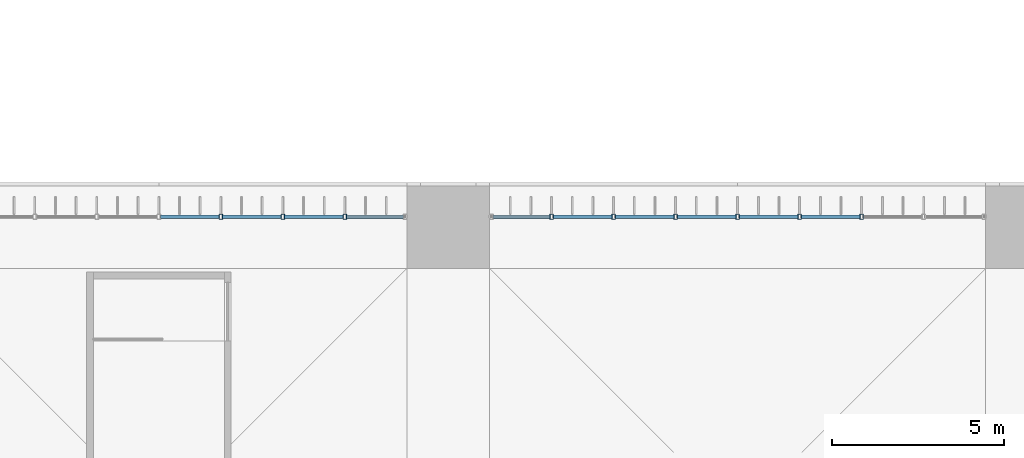
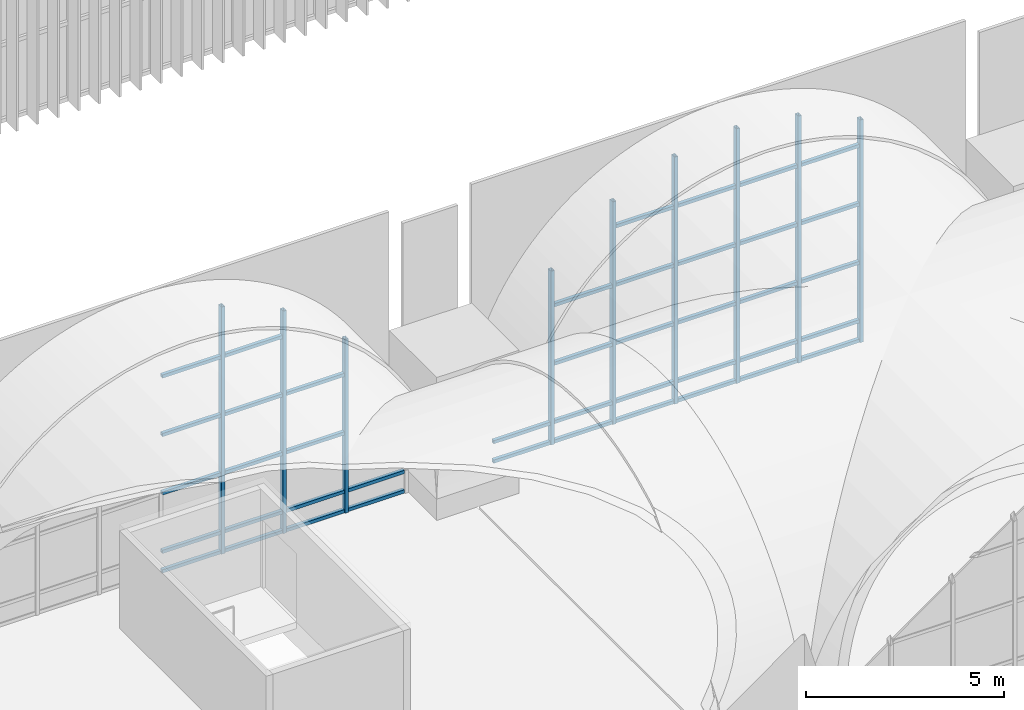
# One storey, part 41 of 169: 51 members, 2 elements without a shape of their own.
"""IFC4 building model written with IfcOpenShell, lengths in metres."""

from ifc_helpers import new_model, si_unit, direction, frame, origin, origin_2d, place, context, subcontext, project, spatial, hollow_rectangle, extrude, material, layer, layer_set, material_profile, profile_set, type_object, element, aggregate, save


model = new_model("IFC4")

# Units and contexts
model_context = context("Model", 3, precision=1e-05, world=origin(), true_north=direction((0.0, 1.0)))
body_context = subcontext(model_context, "Body", "Model", "MODEL_VIEW")
ifc_project = project(units=[si_unit("LENGTHUNIT", "METRE"), si_unit("AREAUNIT", "SQUARE_METRE"), si_unit("VOLUMEUNIT", "CUBIC_METRE"), si_unit("PLANEANGLEUNIT", "RADIAN"), si_unit("MASSUNIT", "GRAM", prefix="KILO")], contexts=[model_context])

# Site, building, storey
site_placement = place(None, origin())
site = spatial("IfcSite", under=ifc_project, at=site_placement, CompositionType="ELEMENT")
building_placement = place(site_placement, origin())
building = spatial("IfcBuilding", under=site, at=building_placement, Name="Verrick Yard Athletic Hall", CompositionType="ELEMENT")
storey_placement = place(building_placement, frame((0.0, 0.0, 4.39990234375)))
storey = spatial("IfcBuildingStorey", under=building, at=storey_placement, Name="L01", CompositionType="ELEMENT", Elevation=4.39990234375)

# Curtain wall, members
ifc_material_1 = material(Name="Aluminium and glass curtain wall", Category="aluminium")
ifc_layer = layer(ifc_material_1, 0.14990234375)
ifc_layer_set = layer_set([ifc_layer], Name="Arcade glazing arch")
curtain_wall_type = type_object("IfcCurtainWallType", Name="Arcade glazing arch", PredefinedType="NOTDEFINED", material=ifc_layer_set)
curtain_wall_1_placement = place(storey_placement, origin())
curtain_wall_1 = element("IfcCurtainWall", 1, at=curtain_wall_1_placement, inside=storey, type_object=curtain_wall_type, Name="Arcade glazing N5", PredefinedType="NOTDEFINED")
ifc_material_2 = material(Name="Structural steel HSS Class C 350W (CSA G40.20/G40.21)", Category="steel")
ifc_material_profile_1 = material_profile(ifc_material_2, hollow_rectangle(XDim=0.1015625, YDim=0.15234375, WallThickness=0.008056640625, at=origin_2d()), Name="HSS152x102x7.9")
ifc_profile_set_1 = profile_set([ifc_material_profile_1], Name="Structural steel HSS Class C 350W (CSA G40.20/G40.21)")
member_type_1 = type_object("IfcMemberType", Name="Curtain wall mullion HSS152x102x7.9", PredefinedType="MULLION", material=ifc_profile_set_1)
member_1_placement = place(storey_placement, frame((117.39990234375, 53.10009765625, 0.0), z_axis=(0.0, 0.0, 1.0), x_axis=(1.0, 0.0, 0.0)))
member_1 = element("IfcMember", 2, at=member_1_placement, type_object=member_type_1, Name="Arcade glazing N5 mullion 6", PredefinedType="MULLION", context=body_context, shape_type="SweptSolid", body=[
    extrude(hollow_rectangle(XDim=0.1015625, YDim=0.15234375, WallThickness=0.008056640625, at=origin_2d()), origin(), (0.0, 0.0, 1.0), 7.607666015625),
])
member_2_placement = place(storey_placement, frame((119.199951171875, 53.10009765625, 0.0), z_axis=(0.0, 0.0, 1.0), x_axis=(1.0, 0.0, 0.0)))
member_2 = element("IfcMember", 3, at=member_2_placement, type_object=member_type_1, Name="Arcade glazing N5 mullion 7", PredefinedType="MULLION", context=body_context, shape_type="SweptSolid", body=[
    extrude(hollow_rectangle(XDim=0.1015625, YDim=0.15234375, WallThickness=0.008056640625, at=origin_2d()), origin(), (0.0, 0.0, 1.0), 6.8544921875),
])
member_3_placement = place(storey_placement, frame((121.0, 53.10009765625, 0.0), z_axis=(0.0, 0.0, 1.0), x_axis=(1.0, 0.0, 0.0)))
member_3 = element("IfcMember", 4, at=member_3_placement, type_object=member_type_1, Name="Arcade glazing N5 mullion 8", PredefinedType="MULLION", context=body_context, shape_type="SweptSolid", body=[
    extrude(hollow_rectangle(XDim=0.1015625, YDim=0.15234375, WallThickness=0.008056640625, at=origin_2d()), origin(), (0.0, 0.0, 1.0), 5.351806640625),
])

curtain_wall_2_placement = place(storey_placement, origin())
curtain_wall_2 = element("IfcCurtainWall", 5, at=curtain_wall_2_placement, inside=storey, type_object=curtain_wall_type, Name="Arcade glazing N6", PredefinedType="NOTDEFINED")
member_4_placement = place(storey_placement, frame((127.0, 53.10009765625, 0.0), z_axis=(0.0, 0.0, 1.0), x_axis=(1.0, 0.0, 0.0)))
member_4 = element("IfcMember", 6, at=member_4_placement, type_object=member_type_1, Name="Arcade glazing N6 mullion 2", PredefinedType="MULLION", context=body_context, shape_type="SweptSolid", body=[
    extrude(hollow_rectangle(XDim=0.1015625, YDim=0.15234375, WallThickness=0.008056640625, at=origin_2d()), origin(), (0.0, 0.0, 1.0), 5.351806640625),
])
member_5_placement = place(storey_placement, frame((128.800048828125, 53.10009765625, 0.0), z_axis=(0.0, 0.0, 1.0), x_axis=(1.0, 0.0, 0.0)))
member_5 = element("IfcMember", 7, at=member_5_placement, type_object=member_type_1, Name="Arcade glazing N6 mullion 3", PredefinedType="MULLION", context=body_context, shape_type="SweptSolid", body=[
    extrude(hollow_rectangle(XDim=0.1015625, YDim=0.15234375, WallThickness=0.008056640625, at=origin_2d()), origin(), (0.0, 0.0, 1.0), 6.8544921875),
])
member_6_placement = place(storey_placement, frame((130.60009765625, 53.10009765625, 0.0), z_axis=(0.0, 0.0, 1.0), x_axis=(1.0, 0.0, 0.0)))
member_6 = element("IfcMember", 8, at=member_6_placement, type_object=member_type_1, Name="Arcade glazing N6 mullion 4", PredefinedType="MULLION", context=body_context, shape_type="SweptSolid", body=[
    extrude(hollow_rectangle(XDim=0.1015625, YDim=0.15234375, WallThickness=0.008056640625, at=origin_2d()), origin(), (0.0, 0.0, 1.0), 7.607666015625),
])
member_7_placement = place(storey_placement, frame((132.39990234375, 53.10009765625, 0.0), z_axis=(0.0, 0.0, 1.0), x_axis=(1.0, 0.0, 0.0)))
member_7 = element("IfcMember", 9, at=member_7_placement, type_object=member_type_1, Name="Arcade glazing N6 mullion 5", PredefinedType="MULLION", context=body_context, shape_type="SweptSolid", body=[
    extrude(hollow_rectangle(XDim=0.1015625, YDim=0.15234375, WallThickness=0.008056640625, at=origin_2d()), origin(), (0.0, 0.0, 1.0), 7.8486328125),
])
member_8_placement = place(storey_placement, frame((134.199951171875, 53.10009765625, 0.0), z_axis=(0.0, 0.0, 1.0), x_axis=(1.0, 0.0, 0.0)))
member_8 = element("IfcMember", 10, at=member_8_placement, type_object=member_type_1, Name="Arcade glazing N6 mullion 6", PredefinedType="MULLION", context=body_context, shape_type="SweptSolid", body=[
    extrude(hollow_rectangle(XDim=0.1015625, YDim=0.15234375, WallThickness=0.008056640625, at=origin_2d()), origin(), (0.0, 0.0, 1.0), 7.607666015625),
])
member_9_placement = place(storey_placement, frame((136.0, 53.10009765625, 0.0), z_axis=(0.0, 0.0, 1.0), x_axis=(1.0, 0.0, 0.0)))
member_9 = element("IfcMember", 11, at=member_9_placement, type_object=member_type_1, Name="Arcade glazing N6 mullion 7", PredefinedType="MULLION", context=body_context, shape_type="SweptSolid", body=[
    extrude(hollow_rectangle(XDim=0.1015625, YDim=0.15234375, WallThickness=0.008056640625, at=origin_2d()), origin(), (0.0, 0.0, 1.0), 6.8544921875),
])

# Member
ifc_material_profile_2 = material_profile(ifc_material_2, hollow_rectangle(XDim=0.1015625, YDim=0.1015625, WallThickness=0.00634765625, at=origin_2d()), Name="HSS102x102x6.4")
ifc_profile_set_2 = profile_set([ifc_material_profile_2], Name="Structural steel HSS Class C 350W (CSA G40.20/G40.21)")
member_type_2 = type_object("IfcMemberType", Name="Curtain wall transom HSS102x102x6.4", PredefinedType="USERDEFINED", material=ifc_profile_set_2)
member_10_placement = place(storey_placement, frame((115.65087890625, 53.10009765625, 0.05078125), z_axis=(1.0, 0.0, 0.0), x_axis=(0.0, 1.0, 0.0)))
member_10 = element("IfcMember", 12, at=member_10_placement, type_object=member_type_2, Name="Arcade glazing N5 transom 17", ObjectType="TRANSOM", PredefinedType="USERDEFINED", context=body_context, shape_type="SweptSolid", body=[
    extrude(hollow_rectangle(XDim=0.1015625, YDim=0.1015625, WallThickness=0.00634765625, at=origin_2d()), origin(), (0.0, 0.0, 1.0), 1.6982421875),
])

member_11_placement = place(storey_placement, frame((115.65087890625, 53.10009765625, 0.650146484375), z_axis=(1.0, 0.0, 0.0), x_axis=(0.0, 1.0, 0.0)))
member_11 = element("IfcMember", 13, at=member_11_placement, type_object=member_type_2, Name="Arcade glazing N5 transom 18", ObjectType="TRANSOM", PredefinedType="USERDEFINED", context=body_context, shape_type="SweptSolid", body=[
    extrude(hollow_rectangle(XDim=0.1015625, YDim=0.1015625, WallThickness=0.00634765625, at=origin_2d()), origin(), (0.0, 0.0, 1.0), 1.6982421875),
])

member_12_placement = place(storey_placement, frame((115.65087890625, 53.10009765625, 2.4501953125), z_axis=(1.0, 0.0, 0.0), x_axis=(0.0, 1.0, 0.0)))
member_12 = element("IfcMember", 14, at=member_12_placement, type_object=member_type_2, Name="Arcade glazing N5 transom 19", ObjectType="TRANSOM", PredefinedType="USERDEFINED", context=body_context, shape_type="SweptSolid", body=[
    extrude(hollow_rectangle(XDim=0.1015625, YDim=0.1015625, WallThickness=0.00634765625, at=origin_2d()), origin(), (0.0, 0.0, 1.0), 1.6982421875),
])

member_13_placement = place(storey_placement, frame((115.65087890625, 53.10009765625, 4.25), z_axis=(1.0, 0.0, 0.0), x_axis=(0.0, 1.0, 0.0)))
member_13 = element("IfcMember", 15, at=member_13_placement, type_object=member_type_2, Name="Arcade glazing N5 transom 20", ObjectType="TRANSOM", PredefinedType="USERDEFINED", context=body_context, shape_type="SweptSolid", body=[
    extrude(hollow_rectangle(XDim=0.1015625, YDim=0.1015625, WallThickness=0.00634765625, at=origin_2d()), origin(), (0.0, 0.0, 1.0), 1.6982421875),
])

member_14_placement = place(storey_placement, frame((115.65087890625, 53.10009765625, 6.050048828125), z_axis=(1.0, 0.0, 0.0), x_axis=(0.0, 1.0, 0.0)))
member_14 = element("IfcMember", 16, at=member_14_placement, type_object=member_type_2, Name="Arcade glazing N5 transom 21", ObjectType="TRANSOM", PredefinedType="USERDEFINED", context=body_context, shape_type="SweptSolid", body=[
    extrude(hollow_rectangle(XDim=0.1015625, YDim=0.1015625, WallThickness=0.00634765625, at=origin_2d()), origin(), (0.0, 0.0, 1.0), 1.6982421875),
])

member_15_placement = place(storey_placement, frame((117.45068359375, 53.10009765625, 0.05078125), z_axis=(1.0, 0.0, 0.0), x_axis=(0.0, 1.0, 0.0)))
member_15 = element("IfcMember", 17, at=member_15_placement, type_object=member_type_2, Name="Arcade glazing N5 transom 22", ObjectType="TRANSOM", PredefinedType="USERDEFINED", context=body_context, shape_type="SweptSolid", body=[
    extrude(hollow_rectangle(XDim=0.1015625, YDim=0.1015625, WallThickness=0.00634765625, at=origin_2d()), origin(), (0.0, 0.0, 1.0), 1.698486328125),
])

member_16_placement = place(storey_placement, frame((117.45068359375, 53.10009765625, 0.650146484375), z_axis=(1.0, 0.0, 0.0), x_axis=(0.0, 1.0, 0.0)))
member_16 = element("IfcMember", 18, at=member_16_placement, type_object=member_type_2, Name="Arcade glazing N5 transom 23", ObjectType="TRANSOM", PredefinedType="USERDEFINED", context=body_context, shape_type="SweptSolid", body=[
    extrude(hollow_rectangle(XDim=0.1015625, YDim=0.1015625, WallThickness=0.00634765625, at=origin_2d()), origin(), (0.0, 0.0, 1.0), 1.698486328125),
])

member_17_placement = place(storey_placement, frame((117.45068359375, 53.10009765625, 2.4501953125), z_axis=(1.0, 0.0, 0.0), x_axis=(0.0, 1.0, 0.0)))
member_17 = element("IfcMember", 19, at=member_17_placement, type_object=member_type_2, Name="Arcade glazing N5 transom 24", ObjectType="TRANSOM", PredefinedType="USERDEFINED", context=body_context, shape_type="SweptSolid", body=[
    extrude(hollow_rectangle(XDim=0.1015625, YDim=0.1015625, WallThickness=0.00634765625, at=origin_2d()), origin(), (0.0, 0.0, 1.0), 1.698486328125),
])

member_18_placement = place(storey_placement, frame((117.45068359375, 53.10009765625, 4.25), z_axis=(1.0, 0.0, 0.0), x_axis=(0.0, 1.0, 0.0)))
member_18 = element("IfcMember", 20, at=member_18_placement, type_object=member_type_2, Name="Arcade glazing N5 transom 25", ObjectType="TRANSOM", PredefinedType="USERDEFINED", context=body_context, shape_type="SweptSolid", body=[
    extrude(hollow_rectangle(XDim=0.1015625, YDim=0.1015625, WallThickness=0.00634765625, at=origin_2d()), origin(), (0.0, 0.0, 1.0), 1.698486328125),
])

member_19_placement = place(storey_placement, frame((117.45068359375, 53.10009765625, 6.050048828125), z_axis=(1.0, 0.0, 0.0), x_axis=(0.0, 1.0, 0.0)))
member_19 = element("IfcMember", 21, at=member_19_placement, type_object=member_type_2, Name="Arcade glazing N5 transom 26", ObjectType="TRANSOM", PredefinedType="USERDEFINED", context=body_context, shape_type="SweptSolid", body=[
    extrude(hollow_rectangle(XDim=0.1015625, YDim=0.1015625, WallThickness=0.00634765625, at=origin_2d()), origin(), (0.0, 0.0, 1.0), 1.698486328125),
])

member_20_placement = place(storey_placement, frame((119.250732421875, 53.10009765625, 0.05078125), z_axis=(1.0, 0.0, 0.0), x_axis=(0.0, 1.0, 0.0)))
member_20 = element("IfcMember", 22, at=member_20_placement, type_object=member_type_2, Name="Arcade glazing N5 transom 27", ObjectType="TRANSOM", PredefinedType="USERDEFINED", context=body_context, shape_type="SweptSolid", body=[
    extrude(hollow_rectangle(XDim=0.1015625, YDim=0.1015625, WallThickness=0.00634765625, at=origin_2d()), origin(), (0.0, 0.0, 1.0), 1.698486328125),
])

member_21_placement = place(storey_placement, frame((119.250732421875, 53.10009765625, 0.650146484375), z_axis=(1.0, 0.0, 0.0), x_axis=(0.0, 1.0, 0.0)))
member_21 = element("IfcMember", 23, at=member_21_placement, type_object=member_type_2, Name="Arcade glazing N5 transom 28", ObjectType="TRANSOM", PredefinedType="USERDEFINED", context=body_context, shape_type="SweptSolid", body=[
    extrude(hollow_rectangle(XDim=0.1015625, YDim=0.1015625, WallThickness=0.00634765625, at=origin_2d()), origin(), (0.0, 0.0, 1.0), 1.698486328125),
])

member_22_placement = place(storey_placement, frame((119.250732421875, 53.10009765625, 2.4501953125), z_axis=(1.0, 0.0, 0.0), x_axis=(0.0, 1.0, 0.0)))
member_22 = element("IfcMember", 24, at=member_22_placement, type_object=member_type_2, Name="Arcade glazing N5 transom 29", ObjectType="TRANSOM", PredefinedType="USERDEFINED", context=body_context, shape_type="SweptSolid", body=[
    extrude(hollow_rectangle(XDim=0.1015625, YDim=0.1015625, WallThickness=0.00634765625, at=origin_2d()), origin(), (0.0, 0.0, 1.0), 1.698486328125),
])

member_23_placement = place(storey_placement, frame((119.250732421875, 53.10009765625, 4.25), z_axis=(1.0, 0.0, 0.0), x_axis=(0.0, 1.0, 0.0)))
member_23 = element("IfcMember", 25, at=member_23_placement, type_object=member_type_2, Name="Arcade glazing N5 transom 30", ObjectType="TRANSOM", PredefinedType="USERDEFINED", context=body_context, shape_type="SweptSolid", body=[
    extrude(hollow_rectangle(XDim=0.1015625, YDim=0.1015625, WallThickness=0.00634765625, at=origin_2d()), origin(), (0.0, 0.0, 1.0), 1.698486328125),
])

member_24_placement = place(storey_placement, frame((121.05078125, 53.10009765625, 0.05078125), z_axis=(1.0, 0.0, 0.0), x_axis=(0.0, 1.0, 0.0)))
member_24 = element("IfcMember", 26, at=member_24_placement, type_object=member_type_2, Name="Arcade glazing N5 transom 31", ObjectType="TRANSOM", PredefinedType="USERDEFINED", context=body_context, shape_type="SweptSolid", body=[
    extrude(hollow_rectangle(XDim=0.1015625, YDim=0.1015625, WallThickness=0.00634765625, at=origin_2d()), origin(), (0.0, 0.0, 1.0), 1.647216796875),
])

member_25_placement = place(storey_placement, frame((121.05078125, 53.10009765625, 0.650146484375), z_axis=(1.0, 0.0, 0.0), x_axis=(0.0, 1.0, 0.0)))
member_25 = element("IfcMember", 27, at=member_25_placement, type_object=member_type_2, Name="Arcade glazing N5 transom 32", ObjectType="TRANSOM", PredefinedType="USERDEFINED", context=body_context, shape_type="SweptSolid", body=[
    extrude(hollow_rectangle(XDim=0.1015625, YDim=0.1015625, WallThickness=0.00634765625, at=origin_2d()), origin(), (0.0, 0.0, 1.0), 1.647216796875),
])

aggregate(curtain_wall_1, [member_1, member_2, member_3, member_10, member_11, member_12, member_13, member_14, member_15, member_16, member_17, member_18, member_19, member_20, member_21, member_22, member_23, member_24, member_25])

member_26_placement = place(storey_placement, frame((125.302001953125, 53.10009765625, 0.05078125), z_axis=(1.0, 0.0, 0.0), x_axis=(0.0, 1.0, 0.0)))
member_26 = element("IfcMember", 28, at=member_26_placement, type_object=member_type_2, Name="Arcade glazing N6 transom 1", ObjectType="TRANSOM", PredefinedType="USERDEFINED", context=body_context, shape_type="SweptSolid", body=[
    extrude(hollow_rectangle(XDim=0.1015625, YDim=0.1015625, WallThickness=0.00634765625, at=origin_2d()), origin(), (0.0, 0.0, 1.0), 1.647216796875),
])

member_27_placement = place(storey_placement, frame((125.302001953125, 53.10009765625, 0.650146484375), z_axis=(1.0, 0.0, 0.0), x_axis=(0.0, 1.0, 0.0)))
member_27 = element("IfcMember", 29, at=member_27_placement, type_object=member_type_2, Name="Arcade glazing N6 transom 2", ObjectType="TRANSOM", PredefinedType="USERDEFINED", context=body_context, shape_type="SweptSolid", body=[
    extrude(hollow_rectangle(XDim=0.1015625, YDim=0.1015625, WallThickness=0.00634765625, at=origin_2d()), origin(), (0.0, 0.0, 1.0), 1.647216796875),
])

member_28_placement = place(storey_placement, frame((127.05078125, 53.10009765625, 0.05078125), z_axis=(1.0, 0.0, 0.0), x_axis=(0.0, 1.0, 0.0)))
member_28 = element("IfcMember", 30, at=member_28_placement, type_object=member_type_2, Name="Arcade glazing N6 transom 3", ObjectType="TRANSOM", PredefinedType="USERDEFINED", context=body_context, shape_type="SweptSolid", body=[
    extrude(hollow_rectangle(XDim=0.1015625, YDim=0.1015625, WallThickness=0.00634765625, at=origin_2d()), origin(), (0.0, 0.0, 1.0), 1.698486328125),
])

member_29_placement = place(storey_placement, frame((127.05078125, 53.10009765625, 0.650146484375), z_axis=(1.0, 0.0, 0.0), x_axis=(0.0, 1.0, 0.0)))
member_29 = element("IfcMember", 31, at=member_29_placement, type_object=member_type_2, Name="Arcade glazing N6 transom 4", ObjectType="TRANSOM", PredefinedType="USERDEFINED", context=body_context, shape_type="SweptSolid", body=[
    extrude(hollow_rectangle(XDim=0.1015625, YDim=0.1015625, WallThickness=0.00634765625, at=origin_2d()), origin(), (0.0, 0.0, 1.0), 1.698486328125),
])

member_30_placement = place(storey_placement, frame((127.05078125, 53.10009765625, 2.4501953125), z_axis=(1.0, 0.0, 0.0), x_axis=(0.0, 1.0, 0.0)))
member_30 = element("IfcMember", 32, at=member_30_placement, type_object=member_type_2, Name="Arcade glazing N6 transom 5", ObjectType="TRANSOM", PredefinedType="USERDEFINED", context=body_context, shape_type="SweptSolid", body=[
    extrude(hollow_rectangle(XDim=0.1015625, YDim=0.1015625, WallThickness=0.00634765625, at=origin_2d()), origin(), (0.0, 0.0, 1.0), 1.698486328125),
])

member_31_placement = place(storey_placement, frame((127.05078125, 53.10009765625, 4.25), z_axis=(1.0, 0.0, 0.0), x_axis=(0.0, 1.0, 0.0)))
member_31 = element("IfcMember", 33, at=member_31_placement, type_object=member_type_2, Name="Arcade glazing N6 transom 6", ObjectType="TRANSOM", PredefinedType="USERDEFINED", context=body_context, shape_type="SweptSolid", body=[
    extrude(hollow_rectangle(XDim=0.1015625, YDim=0.1015625, WallThickness=0.00634765625, at=origin_2d()), origin(), (0.0, 0.0, 1.0), 1.698486328125),
])

member_32_placement = place(storey_placement, frame((128.850830078125, 53.10009765625, 0.05078125), z_axis=(1.0, 0.0, 0.0), x_axis=(0.0, 1.0, 0.0)))
member_32 = element("IfcMember", 34, at=member_32_placement, type_object=member_type_2, Name="Arcade glazing N6 transom 7", ObjectType="TRANSOM", PredefinedType="USERDEFINED", context=body_context, shape_type="SweptSolid", body=[
    extrude(hollow_rectangle(XDim=0.1015625, YDim=0.1015625, WallThickness=0.00634765625, at=origin_2d()), origin(), (0.0, 0.0, 1.0), 1.698486328125),
])

member_33_placement = place(storey_placement, frame((128.850830078125, 53.10009765625, 0.650146484375), z_axis=(1.0, 0.0, 0.0), x_axis=(0.0, 1.0, 0.0)))
member_33 = element("IfcMember", 35, at=member_33_placement, type_object=member_type_2, Name="Arcade glazing N6 transom 8", ObjectType="TRANSOM", PredefinedType="USERDEFINED", context=body_context, shape_type="SweptSolid", body=[
    extrude(hollow_rectangle(XDim=0.1015625, YDim=0.1015625, WallThickness=0.00634765625, at=origin_2d()), origin(), (0.0, 0.0, 1.0), 1.698486328125),
])

member_34_placement = place(storey_placement, frame((128.850830078125, 53.10009765625, 2.4501953125), z_axis=(1.0, 0.0, 0.0), x_axis=(0.0, 1.0, 0.0)))
member_34 = element("IfcMember", 36, at=member_34_placement, type_object=member_type_2, Name="Arcade glazing N6 transom 9", ObjectType="TRANSOM", PredefinedType="USERDEFINED", context=body_context, shape_type="SweptSolid", body=[
    extrude(hollow_rectangle(XDim=0.1015625, YDim=0.1015625, WallThickness=0.00634765625, at=origin_2d()), origin(), (0.0, 0.0, 1.0), 1.698486328125),
])

member_35_placement = place(storey_placement, frame((128.850830078125, 53.10009765625, 4.25), z_axis=(1.0, 0.0, 0.0), x_axis=(0.0, 1.0, 0.0)))
member_35 = element("IfcMember", 37, at=member_35_placement, type_object=member_type_2, Name="Arcade glazing N6 transom 10", ObjectType="TRANSOM", PredefinedType="USERDEFINED", context=body_context, shape_type="SweptSolid", body=[
    extrude(hollow_rectangle(XDim=0.1015625, YDim=0.1015625, WallThickness=0.00634765625, at=origin_2d()), origin(), (0.0, 0.0, 1.0), 1.698486328125),
])

member_36_placement = place(storey_placement, frame((128.850830078125, 53.10009765625, 6.050048828125), z_axis=(1.0, 0.0, 0.0), x_axis=(0.0, 1.0, 0.0)))
member_36 = element("IfcMember", 38, at=member_36_placement, type_object=member_type_2, Name="Arcade glazing N6 transom 11", ObjectType="TRANSOM", PredefinedType="USERDEFINED", context=body_context, shape_type="SweptSolid", body=[
    extrude(hollow_rectangle(XDim=0.1015625, YDim=0.1015625, WallThickness=0.00634765625, at=origin_2d()), origin(), (0.0, 0.0, 1.0), 1.698486328125),
])

member_37_placement = place(storey_placement, frame((130.65087890625, 53.10009765625, 0.05078125), z_axis=(1.0, 0.0, 0.0), x_axis=(0.0, 1.0, 0.0)))
member_37 = element("IfcMember", 39, at=member_37_placement, type_object=member_type_2, Name="Arcade glazing N6 transom 12", ObjectType="TRANSOM", PredefinedType="USERDEFINED", context=body_context, shape_type="SweptSolid", body=[
    extrude(hollow_rectangle(XDim=0.1015625, YDim=0.1015625, WallThickness=0.00634765625, at=origin_2d()), origin(), (0.0, 0.0, 1.0), 1.6982421875),
])

member_38_placement = place(storey_placement, frame((130.65087890625, 53.10009765625, 0.650146484375), z_axis=(1.0, 0.0, 0.0), x_axis=(0.0, 1.0, 0.0)))
member_38 = element("IfcMember", 40, at=member_38_placement, type_object=member_type_2, Name="Arcade glazing N6 transom 13", ObjectType="TRANSOM", PredefinedType="USERDEFINED", context=body_context, shape_type="SweptSolid", body=[
    extrude(hollow_rectangle(XDim=0.1015625, YDim=0.1015625, WallThickness=0.00634765625, at=origin_2d()), origin(), (0.0, 0.0, 1.0), 1.6982421875),
])

member_39_placement = place(storey_placement, frame((130.65087890625, 53.10009765625, 2.4501953125), z_axis=(1.0, 0.0, 0.0), x_axis=(0.0, 1.0, 0.0)))
member_39 = element("IfcMember", 41, at=member_39_placement, type_object=member_type_2, Name="Arcade glazing N6 transom 14", ObjectType="TRANSOM", PredefinedType="USERDEFINED", context=body_context, shape_type="SweptSolid", body=[
    extrude(hollow_rectangle(XDim=0.1015625, YDim=0.1015625, WallThickness=0.00634765625, at=origin_2d()), origin(), (0.0, 0.0, 1.0), 1.6982421875),
])

member_40_placement = place(storey_placement, frame((130.65087890625, 53.10009765625, 4.25), z_axis=(1.0, 0.0, 0.0), x_axis=(0.0, 1.0, 0.0)))
member_40 = element("IfcMember", 42, at=member_40_placement, type_object=member_type_2, Name="Arcade glazing N6 transom 15", ObjectType="TRANSOM", PredefinedType="USERDEFINED", context=body_context, shape_type="SweptSolid", body=[
    extrude(hollow_rectangle(XDim=0.1015625, YDim=0.1015625, WallThickness=0.00634765625, at=origin_2d()), origin(), (0.0, 0.0, 1.0), 1.6982421875),
])

member_41_placement = place(storey_placement, frame((130.65087890625, 53.10009765625, 6.050048828125), z_axis=(1.0, 0.0, 0.0), x_axis=(0.0, 1.0, 0.0)))
member_41 = element("IfcMember", 43, at=member_41_placement, type_object=member_type_2, Name="Arcade glazing N6 transom 16", ObjectType="TRANSOM", PredefinedType="USERDEFINED", context=body_context, shape_type="SweptSolid", body=[
    extrude(hollow_rectangle(XDim=0.1015625, YDim=0.1015625, WallThickness=0.00634765625, at=origin_2d()), origin(), (0.0, 0.0, 1.0), 1.6982421875),
])

member_42_placement = place(storey_placement, frame((132.45068359375, 53.10009765625, 0.05078125), z_axis=(1.0, 0.0, 0.0), x_axis=(0.0, 1.0, 0.0)))
member_42 = element("IfcMember", 44, at=member_42_placement, type_object=member_type_2, Name="Arcade glazing N6 transom 17", ObjectType="TRANSOM", PredefinedType="USERDEFINED", context=body_context, shape_type="SweptSolid", body=[
    extrude(hollow_rectangle(XDim=0.1015625, YDim=0.1015625, WallThickness=0.00634765625, at=origin_2d()), origin(), (0.0, 0.0, 1.0), 1.698486328125),
])

member_43_placement = place(storey_placement, frame((132.45068359375, 53.10009765625, 0.650146484375), z_axis=(1.0, 0.0, 0.0), x_axis=(0.0, 1.0, 0.0)))
member_43 = element("IfcMember", 45, at=member_43_placement, type_object=member_type_2, Name="Arcade glazing N6 transom 18", ObjectType="TRANSOM", PredefinedType="USERDEFINED", context=body_context, shape_type="SweptSolid", body=[
    extrude(hollow_rectangle(XDim=0.1015625, YDim=0.1015625, WallThickness=0.00634765625, at=origin_2d()), origin(), (0.0, 0.0, 1.0), 1.698486328125),
])

member_44_placement = place(storey_placement, frame((132.45068359375, 53.10009765625, 2.4501953125), z_axis=(1.0, 0.0, 0.0), x_axis=(0.0, 1.0, 0.0)))
member_44 = element("IfcMember", 46, at=member_44_placement, type_object=member_type_2, Name="Arcade glazing N6 transom 19", ObjectType="TRANSOM", PredefinedType="USERDEFINED", context=body_context, shape_type="SweptSolid", body=[
    extrude(hollow_rectangle(XDim=0.1015625, YDim=0.1015625, WallThickness=0.00634765625, at=origin_2d()), origin(), (0.0, 0.0, 1.0), 1.698486328125),
])

member_45_placement = place(storey_placement, frame((132.45068359375, 53.10009765625, 4.25), z_axis=(1.0, 0.0, 0.0), x_axis=(0.0, 1.0, 0.0)))
member_45 = element("IfcMember", 47, at=member_45_placement, type_object=member_type_2, Name="Arcade glazing N6 transom 20", ObjectType="TRANSOM", PredefinedType="USERDEFINED", context=body_context, shape_type="SweptSolid", body=[
    extrude(hollow_rectangle(XDim=0.1015625, YDim=0.1015625, WallThickness=0.00634765625, at=origin_2d()), origin(), (0.0, 0.0, 1.0), 1.698486328125),
])

member_46_placement = place(storey_placement, frame((132.45068359375, 53.10009765625, 6.050048828125), z_axis=(1.0, 0.0, 0.0), x_axis=(0.0, 1.0, 0.0)))
member_46 = element("IfcMember", 48, at=member_46_placement, type_object=member_type_2, Name="Arcade glazing N6 transom 21", ObjectType="TRANSOM", PredefinedType="USERDEFINED", context=body_context, shape_type="SweptSolid", body=[
    extrude(hollow_rectangle(XDim=0.1015625, YDim=0.1015625, WallThickness=0.00634765625, at=origin_2d()), origin(), (0.0, 0.0, 1.0), 1.698486328125),
])

member_47_placement = place(storey_placement, frame((134.250732421875, 53.10009765625, 0.05078125), z_axis=(1.0, 0.0, 0.0), x_axis=(0.0, 1.0, 0.0)))
member_47 = element("IfcMember", 49, at=member_47_placement, type_object=member_type_2, Name="Arcade glazing N6 transom 22", ObjectType="TRANSOM", PredefinedType="USERDEFINED", context=body_context, shape_type="SweptSolid", body=[
    extrude(hollow_rectangle(XDim=0.1015625, YDim=0.1015625, WallThickness=0.00634765625, at=origin_2d()), origin(), (0.0, 0.0, 1.0), 1.698486328125),
])

member_48_placement = place(storey_placement, frame((134.250732421875, 53.10009765625, 0.650146484375), z_axis=(1.0, 0.0, 0.0), x_axis=(0.0, 1.0, 0.0)))
member_48 = element("IfcMember", 50, at=member_48_placement, type_object=member_type_2, Name="Arcade glazing N6 transom 23", ObjectType="TRANSOM", PredefinedType="USERDEFINED", context=body_context, shape_type="SweptSolid", body=[
    extrude(hollow_rectangle(XDim=0.1015625, YDim=0.1015625, WallThickness=0.00634765625, at=origin_2d()), origin(), (0.0, 0.0, 1.0), 1.698486328125),
])

member_49_placement = place(storey_placement, frame((134.250732421875, 53.10009765625, 2.4501953125), z_axis=(1.0, 0.0, 0.0), x_axis=(0.0, 1.0, 0.0)))
member_49 = element("IfcMember", 51, at=member_49_placement, type_object=member_type_2, Name="Arcade glazing N6 transom 24", ObjectType="TRANSOM", PredefinedType="USERDEFINED", context=body_context, shape_type="SweptSolid", body=[
    extrude(hollow_rectangle(XDim=0.1015625, YDim=0.1015625, WallThickness=0.00634765625, at=origin_2d()), origin(), (0.0, 0.0, 1.0), 1.698486328125),
])

member_50_placement = place(storey_placement, frame((134.250732421875, 53.10009765625, 4.25), z_axis=(1.0, 0.0, 0.0), x_axis=(0.0, 1.0, 0.0)))
member_50 = element("IfcMember", 52, at=member_50_placement, type_object=member_type_2, Name="Arcade glazing N6 transom 25", ObjectType="TRANSOM", PredefinedType="USERDEFINED", context=body_context, shape_type="SweptSolid", body=[
    extrude(hollow_rectangle(XDim=0.1015625, YDim=0.1015625, WallThickness=0.00634765625, at=origin_2d()), origin(), (0.0, 0.0, 1.0), 1.698486328125),
])

member_51_placement = place(storey_placement, frame((134.250732421875, 53.10009765625, 6.050048828125), z_axis=(1.0, 0.0, 0.0), x_axis=(0.0, 1.0, 0.0)))
member_51 = element("IfcMember", 53, at=member_51_placement, type_object=member_type_2, Name="Arcade glazing N6 transom 26", ObjectType="TRANSOM", PredefinedType="USERDEFINED", context=body_context, shape_type="SweptSolid", body=[
    extrude(hollow_rectangle(XDim=0.1015625, YDim=0.1015625, WallThickness=0.00634765625, at=origin_2d()), origin(), (0.0, 0.0, 1.0), 1.698486328125),
])

aggregate(curtain_wall_2, [member_4, member_5, member_6, member_7, member_8, member_9, member_26, member_27, member_28, member_29, member_30, member_31, member_32, member_33, member_34, member_35, member_36, member_37, member_38, member_39, member_40, member_41, member_42, member_43, member_44, member_45, member_46, member_47, member_48, member_49, member_50, member_51])

save(model, "model.ifc")
